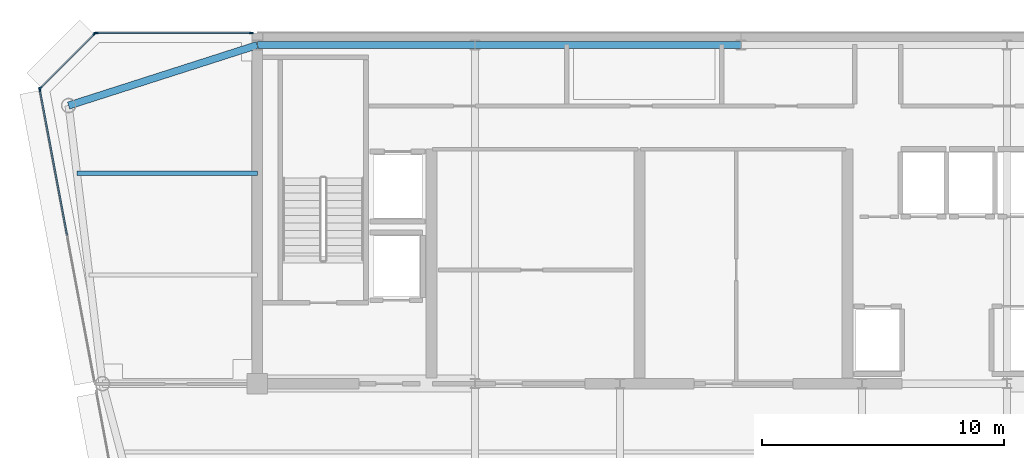
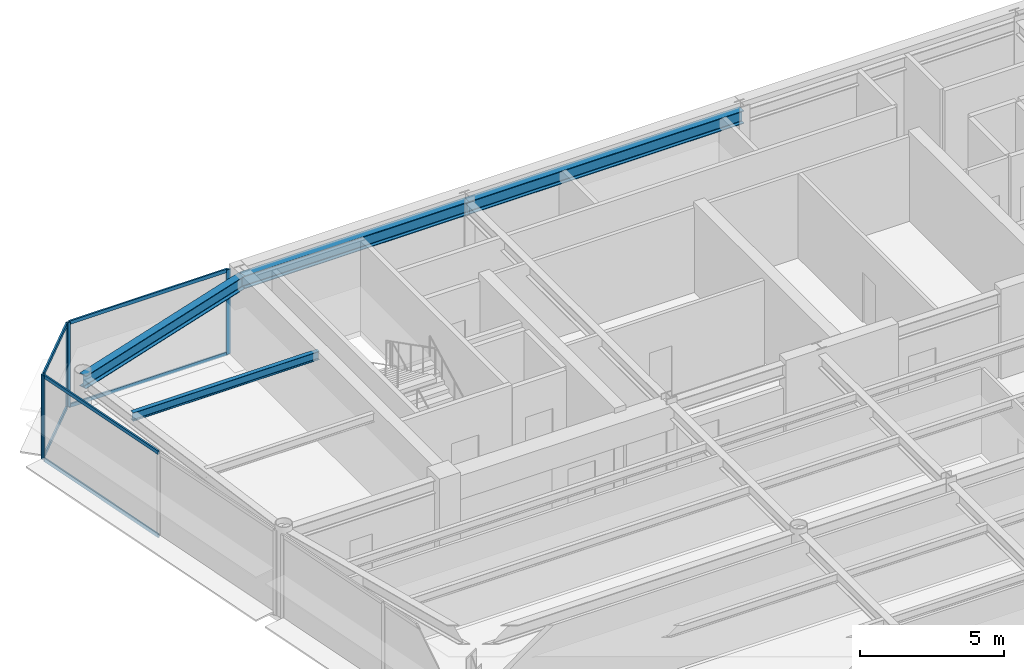
# One storey, part 8 of 19: 11 members, 4 beams, 3 elements without a shape of their own.
"""IFC4 building model written with IfcOpenShell, lengths in metres."""

from ifc_helpers import new_model, si_unit, direction, frame, origin, origin_2d, place, context, subcontext, project, spatial, rectangle, i_section, extrude, source, transform, mapped, material, layer, layer_set, material_profile, profile_set, type_object, element, aggregate, save


model = new_model("IFC4")

# Units and contexts
model_context = context("Model", 3, precision=1e-05, world=origin(), true_north=direction((0.0, 1.0)))
body_context = subcontext(model_context, "Body", "Model", "MODEL_VIEW")
ifc_project = project(units=[si_unit("LENGTHUNIT", "METRE"), si_unit("AREAUNIT", "SQUARE_METRE"), si_unit("VOLUMEUNIT", "CUBIC_METRE"), si_unit("PLANEANGLEUNIT", "RADIAN"), si_unit("MASSUNIT", "GRAM", prefix="KILO")], contexts=[model_context])

# Site, building, storey
site_placement = place(None, origin())
site = spatial("IfcSite", under=ifc_project, at=site_placement, CompositionType="ELEMENT")
building_placement = place(site_placement, origin())
building = spatial("IfcBuilding", under=site, at=building_placement, Name="Vaeldorn Concourse Tower", CompositionType="ELEMENT")
storey_placement = place(building_placement, frame((0.0, 0.0, 272.60009765625)))
storey = spatial("IfcBuildingStorey", under=building, at=storey_placement, Name="L70", CompositionType="ELEMENT", Elevation=272.60009765625)

# Beams
ifc_material_1 = material(Name="Steel S355", Category="steel")
ifc_material_profile_1 = material_profile(ifc_material_1, i_section(OverallWidth=0.300048828125, OverallDepth=0.550048828125, WebThickness=0.014892578125, FlangeThickness=0.029052734375, FilletRadius=0.027099609375, at=origin_2d()), Name="HEB 550")
ifc_profile_set_1 = profile_set([ifc_material_profile_1], Name="Steel S355")
beam_type_1 = type_object("IfcBeamType", Name="BM-PG-HEB550", PredefinedType="BEAM", material=ifc_profile_set_1)
shared_shape_1 = source(origin(), body_context, "Body", "SweptSolid", [
    extrude(i_section(OverallWidth=0.300048828125, OverallDepth=0.550048828125, WebThickness=0.014892578125, FlangeThickness=0.029052734375, FilletRadius=0.027099609375, at=origin_2d()), origin(), (0.0, 0.0, 1.0), 9.0),
])
beam_1_placement = place(storey_placement, frame((14.0, 50.5, 3.304931640625), z_axis=(1.0, 0.0, 0.0), x_axis=(0.0, 1.0, 0.0)))
element("IfcBeam", 1, at=beam_1_placement, inside=storey, type_object=beam_type_1, Name="Beam BM-L70-C-HC1-C-HC2", PredefinedType="BEAM", context=body_context, shape_type="MappedRepresentation", body=[
    mapped(shared_shape_1, transform((0.0, 0.0, 0.0), scale=1.0)),
])
shared_shape_2 = source(origin(), body_context, "Body", "SweptSolid", [
    extrude(i_section(OverallWidth=0.300048828125, OverallDepth=0.550048828125, WebThickness=0.014892578125, FlangeThickness=0.029052734375, FilletRadius=0.027099609375, at=origin_2d()), origin(), (0.0, 0.0, 1.0), 11.0),
])
beam_2_placement = place(storey_placement, frame((23.0, 50.5, 3.304931640625), z_axis=(1.0, 0.0, 0.0), x_axis=(0.0, 1.0, 0.0)))
element("IfcBeam", 2, at=beam_2_placement, inside=storey, type_object=beam_type_1, Name="Beam BM-L70-C-HC2-C-HC3", PredefinedType="BEAM", context=body_context, shape_type="MappedRepresentation", body=[
    mapped(shared_shape_2, transform((0.0, 0.0, 0.0), scale=1.0)),
])
shared_shape_3 = source(origin(), body_context, "Body", "SweptSolid", [
    extrude(i_section(OverallWidth=0.300048828125, OverallDepth=0.550048828125, WebThickness=0.014892578125, FlangeThickness=0.029052734375, FilletRadius=0.027099609375, at=origin_2d()), origin(), (0.0, 0.0, 1.0), 8.19091796875),
])
beam_3_placement = place(storey_placement, frame((6.199951171875, 48.0, 3.304931640625), z_axis=(0.952282843383, 0.305216949396, 0.0), x_axis=(-0.305216949396, 0.952282843383, 0.0)))
element("IfcBeam", 3, at=beam_3_placement, inside=storey, type_object=beam_type_1, Name="Beam BM-L70-C-NW1-C-HC1", PredefinedType="BEAM", context=body_context, shape_type="MappedRepresentation", body=[
    mapped(shared_shape_3, transform((0.0, 0.0, 0.0), scale=1.0)),
])
ifc_material_profile_2 = material_profile(ifc_material_1, i_section(OverallWidth=0.169921875, OverallDepth=0.360107421875, WebThickness=0.008056640625, FlangeThickness=0.0126953125, FilletRadius=0.01806640625, at=origin_2d()), Name="IPE 360")
ifc_profile_set_2 = profile_set([ifc_material_profile_2], Name="Steel S355")
beam_type_2 = type_object("IfcBeamType", Name="BM-JS-IPE360", PredefinedType="JOIST", material=ifc_profile_set_2)
shared_shape_4 = source(origin(), body_context, "Body", "SweptSolid", [
    extrude(i_section(OverallWidth=0.169921875, OverallDepth=0.360107421875, WebThickness=0.008056640625, FlangeThickness=0.0126953125, FilletRadius=0.01806640625, at=origin_2d()), origin(), (0.0, 0.0, 1.0), 7.458984375),
])
beam_4_placement = place(storey_placement, frame((6.541015625, 45.199951171875, 3.39990234375), z_axis=(1.0, 0.0, 0.0), x_axis=(0.0, 1.0, 0.0)))
element("IfcBeam", 4, at=beam_4_placement, inside=storey, type_object=beam_type_2, Name="Beam JS-L70-NW-452", PredefinedType="JOIST", context=body_context, shape_type="MappedRepresentation", body=[
    mapped(shared_shape_4, transform((0.0, 0.0, 0.0), scale=1.0)),
])

# Curtain wall, members
ifc_material_2 = material(Name="Anodised Bronze Aluminium", Category="aluminium")
ifc_layer = layer(ifc_material_2, 0.179931640625)
ifc_layer_set = layer_set([ifc_layer], Name="Anodised Bronze Aluminium")
curtain_wall_type = type_object("IfcCurtainWallType", Name="CW-SYS-05", PredefinedType="NOTDEFINED", material=ifc_layer_set)
curtain_wall_1_placement = place(storey_placement, origin())
curtain_wall_1 = element("IfcCurtainWall", 5, at=curtain_wall_1_placement, inside=storey, type_object=curtain_wall_type, Name="Unitised Curtain Wall CW-L70-E09-2", PredefinedType="NOTDEFINED")
ifc_material_profile_3 = material_profile(ifc_material_2, rectangle(XDim=0.06494140625, YDim=0.169921875, at=origin_2d()), Name="CWM 65x170")
ifc_profile_set_3 = profile_set([ifc_material_profile_3], Name="Anodised Bronze Aluminium")
member_type_1 = type_object("IfcMemberType", Name="CWM-BRONZE-170", PredefinedType="MULLION", material=ifc_profile_set_3)
shared_shape_5 = source(origin(), body_context, "Body", "SweptSolid", [
    extrude(rectangle(XDim=0.06494140625, YDim=0.169921875, at=origin_2d()), origin(), (0.0, 0.0, 1.0), 3.579833984375),
])
member_1_placement = place(storey_placement, frame((13.74755859375, 51.0, 0.0), z_axis=(0.0, 0.0, 1.0), x_axis=(0.0, -1.0, 0.0)))
member_1 = element("IfcMember", 6, at=member_1_placement, type_object=member_type_1, Name="CW-05 mullion 1", PredefinedType="MULLION", context=body_context, shape_type="MappedRepresentation", body=[
    mapped(shared_shape_5, transform((0.0, 0.0, 0.0), scale=1.0)),
])
member_2_placement = place(storey_placement, frame((7.33251953125, 51.0, 0.0), z_axis=(0.0, 0.0, 1.0), x_axis=(0.0, -1.0, 0.0)))
member_2 = element("IfcMember", 7, at=member_2_placement, type_object=member_type_1, Name="CW-05 mullion 2", PredefinedType="MULLION", context=body_context, shape_type="MappedRepresentation", body=[
    mapped(shared_shape_5, transform((0.0, 0.0, 0.0), scale=1.0)),
])

curtain_wall_2_placement = place(storey_placement, origin())
curtain_wall_2 = element("IfcCurtainWall", 8, at=curtain_wall_2_placement, inside=storey, type_object=curtain_wall_type, Name="Unitised Curtain Wall CW-L70-E10-1", PredefinedType="NOTDEFINED")
member_3_placement = place(storey_placement, frame((7.277099609375, 50.97705078125, 0.0), z_axis=(0.0, 0.0, 1.0), x_axis=(0.707106781187, -0.707106781187, 0.0)))
member_3 = element("IfcMember", 9, at=member_3_placement, type_object=member_type_1, Name="CW-05 mullion 1", PredefinedType="MULLION", context=body_context, shape_type="MappedRepresentation", body=[
    mapped(shared_shape_5, transform((0.0, 0.0, 0.0), scale=1.0)),
])
member_4_placement = place(storey_placement, frame((5.02294921875, 48.722900390625, 0.0), z_axis=(0.0, 0.0, 1.0), x_axis=(0.707106781187, -0.707106781187, 0.0)))
member_4 = element("IfcMember", 10, at=member_4_placement, type_object=member_type_1, Name="CW-05 mullion 2", PredefinedType="MULLION", context=body_context, shape_type="MappedRepresentation", body=[
    mapped(shared_shape_5, transform((0.0, 0.0, 0.0), scale=1.0)),
])

# Curtain wall, member
curtain_wall_3_placement = place(storey_placement, origin())
curtain_wall_3 = element("IfcCurtainWall", 11, at=curtain_wall_3_placement, inside=storey, type_object=curtain_wall_type, Name="Unitised Curtain Wall CW-L70-E11-1", PredefinedType="NOTDEFINED")
member_5_placement = place(storey_placement, frame((5.006103515625, 48.66796875, 0.0), z_axis=(0.0, 0.0, 1.0), x_axis=(0.982880218842, 0.184245693053, 0.0)))
member_5 = element("IfcMember", 12, at=member_5_placement, type_object=member_type_1, Name="CW-05 mullion 1", PredefinedType="MULLION", context=body_context, shape_type="MappedRepresentation", body=[
    mapped(shared_shape_5, transform((0.0, 0.0, 0.0), scale=1.0)),
])

# Member
ifc_material_profile_4 = material_profile(ifc_material_2, rectangle(XDim=0.06494140625, YDim=0.14990234375, at=origin_2d()), Name="CWT 65x150")
ifc_profile_set_4 = profile_set([ifc_material_profile_4], Name="Anodised Bronze Aluminium")
member_type_2 = type_object("IfcMemberType", Name="CWT-BRONZE-150", PredefinedType="USERDEFINED", material=ifc_profile_set_4)
shared_shape_6 = source(origin(), body_context, "Body", "SweptSolid", [
    extrude(rectangle(XDim=0.06494140625, YDim=0.14990234375, at=origin_2d()), origin(), (0.0, 0.0, 1.0), 3.123046875),
])
member_6_placement = place(storey_placement, frame((7.254150390625, 50.9541015625, 0.032470703125), z_axis=(-0.707106781187, -0.707106781187, 0.0), x_axis=(0.707106781187, -0.707106781187, 0.0)))
member_6 = element("IfcMember", 13, at=member_6_placement, type_object=member_type_2, Name="CW-05 transom 1.1", ObjectType="TRANSOM", PredefinedType="USERDEFINED", context=body_context, shape_type="MappedRepresentation", body=[
    mapped(shared_shape_6, transform((0.0, 0.0, 0.0), scale=1.0)),
])

member_7_placement = place(storey_placement, frame((7.254150390625, 50.9541015625, 3.54736328125), z_axis=(-0.707106781187, -0.707106781187, 0.0), x_axis=(0.707106781187, -0.707106781187, 0.0)))
member_7 = element("IfcMember", 14, at=member_7_placement, type_object=member_type_2, Name="CW-05 transom 1.2", ObjectType="TRANSOM", PredefinedType="USERDEFINED", context=body_context, shape_type="MappedRepresentation", body=[
    mapped(shared_shape_6, transform((0.0, 0.0, 0.0), scale=1.0)),
])

aggregate(curtain_wall_2, [member_3, member_4, member_6, member_7])

shared_shape_7 = source(origin(), body_context, "Body", "SweptSolid", [
    extrude(rectangle(XDim=0.06494140625, YDim=0.14990234375, at=origin_2d()), origin(), (0.0, 0.0, 1.0), 6.35009765625),
])
member_8_placement = place(storey_placement, frame((13.715087890625, 51.0, 0.032470703125), z_axis=(-1.0, 0.0, 0.0), x_axis=(0.0, -1.0, 0.0)))
member_8 = element("IfcMember", 15, at=member_8_placement, type_object=member_type_2, Name="CW-05 transom 1.1", ObjectType="TRANSOM", PredefinedType="USERDEFINED", context=body_context, shape_type="MappedRepresentation", body=[
    mapped(shared_shape_7, transform((0.0, 0.0, 0.0), scale=1.0)),
])

member_9_placement = place(storey_placement, frame((13.715087890625, 51.0, 3.54736328125), z_axis=(-1.0, 0.0, 0.0), x_axis=(0.0, -1.0, 0.0)))
member_9 = element("IfcMember", 16, at=member_9_placement, type_object=member_type_2, Name="CW-05 transom 1.2", ObjectType="TRANSOM", PredefinedType="USERDEFINED", context=body_context, shape_type="MappedRepresentation", body=[
    mapped(shared_shape_7, transform((0.0, 0.0, 0.0), scale=1.0)),
])

aggregate(curtain_wall_1, [member_1, member_2, member_8, member_9])

shared_shape_8 = source(origin(), body_context, "Body", "SweptSolid", [
    extrude(rectangle(XDim=0.06494140625, YDim=0.14990234375, at=origin_2d()), origin(), (0.0, 0.0, 1.0), 6.103515625),
])
member_10_placement = place(storey_placement, frame((5.011962890625, 48.63623046875, 0.032470703125), z_axis=(0.18424023288, -0.982881242363, 0.0), x_axis=(0.982881242363, 0.18424023288, 0.0)))
member_10 = element("IfcMember", 17, at=member_10_placement, type_object=member_type_2, Name="CW-05 transom 1.1", ObjectType="TRANSOM", PredefinedType="USERDEFINED", context=body_context, shape_type="MappedRepresentation", body=[
    mapped(shared_shape_8, transform((0.0, 0.0, 0.0), scale=1.0)),
])

member_11_placement = place(storey_placement, frame((5.011962890625, 48.63623046875, 3.54736328125), z_axis=(0.18424023288, -0.982881242363, 0.0), x_axis=(0.982881242363, 0.18424023288, 0.0)))
member_11 = element("IfcMember", 18, at=member_11_placement, type_object=member_type_2, Name="CW-05 transom 1.2", ObjectType="TRANSOM", PredefinedType="USERDEFINED", context=body_context, shape_type="MappedRepresentation", body=[
    mapped(shared_shape_8, transform((0.0, 0.0, 0.0), scale=1.0)),
])

aggregate(curtain_wall_3, [member_5, member_10, member_11])

save(model, "model.ifc")
